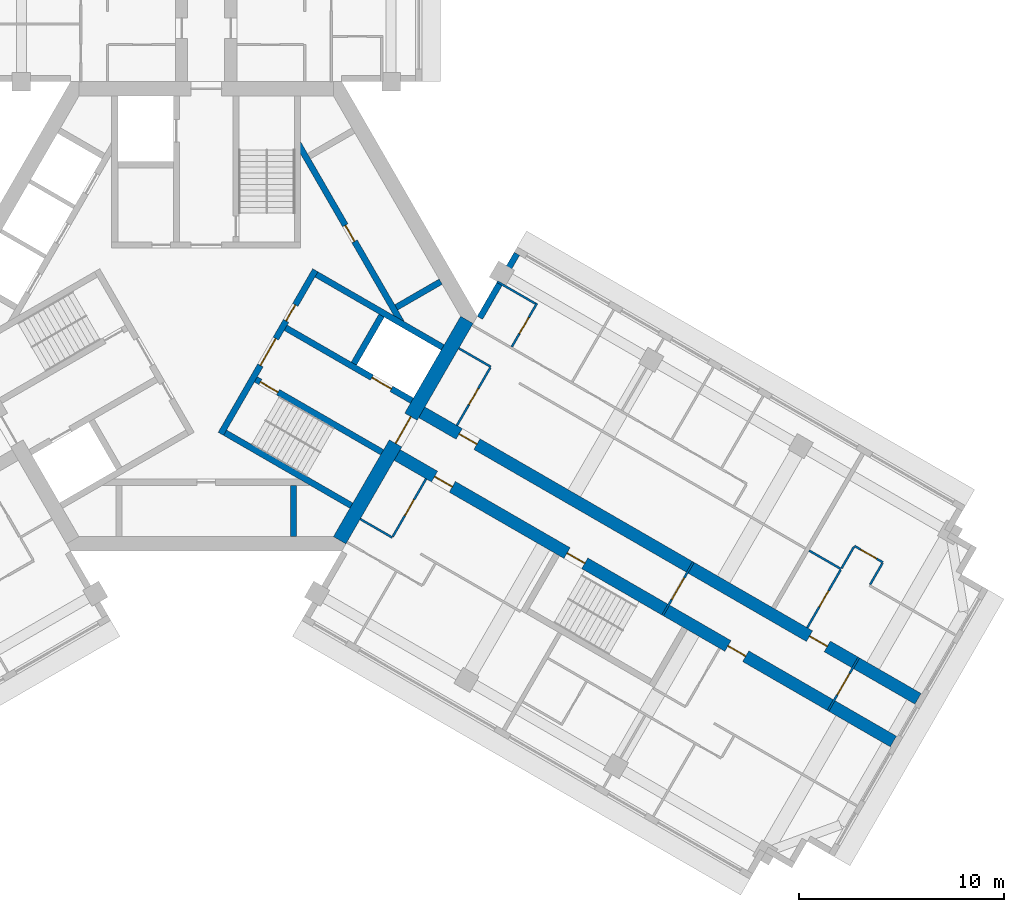
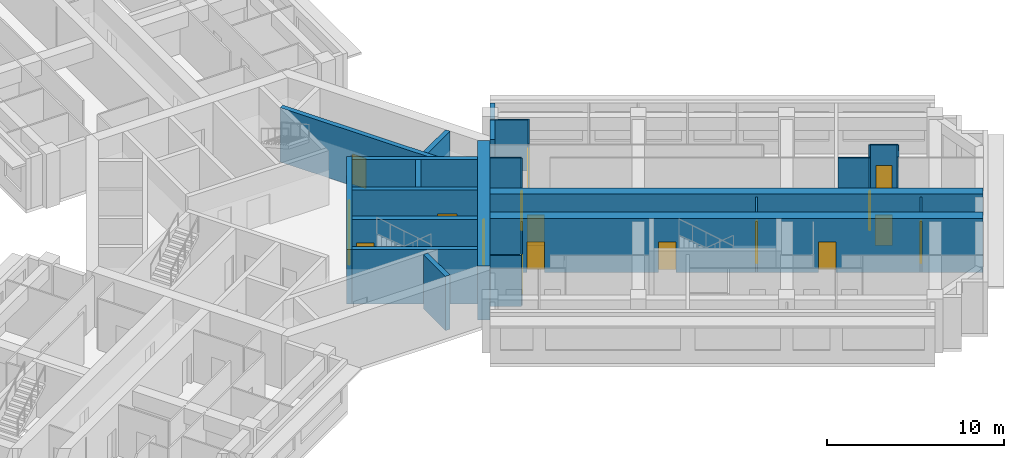
# One storey, part 5 of 10: 26 walls, 18 doors, 18 openings.
"""IFC4 building model written with IfcOpenShell, lengths in metres."""

from ifc_helpers import new_model, si_unit, direction, frame, frame_2d, origin, place, context, subcontext, project, spatial, rectangle, extrude, material, layer, layer_set, type_object, element, fill, save


model = new_model("IFC4")

# Units and contexts
model_context = context("Model", 3, precision=1e-05, world=origin(), true_north=direction((0.0, 1.0)))
body_context = subcontext(model_context, "Body", "Model", "MODEL_VIEW")
ifc_project = project(units=[si_unit("LENGTHUNIT", "METRE"), si_unit("AREAUNIT", "SQUARE_METRE"), si_unit("VOLUMEUNIT", "CUBIC_METRE"), si_unit("PLANEANGLEUNIT", "RADIAN"), si_unit("MASSUNIT", "GRAM", prefix="KILO")], contexts=[model_context])

# Site, building, storey
site_placement = place(None, origin())
site = spatial("IfcSite", under=ifc_project, at=site_placement, CompositionType="ELEMENT")
building_placement = place(site_placement, origin())
building = spatial("IfcBuilding", under=site, at=building_placement, Name="Impinga Residences", CompositionType="ELEMENT")
storey_placement = place(building_placement, frame((0.0, 0.0, 229.75)))
storey = spatial("IfcBuildingStorey", under=building, at=storey_placement, Name="L57", CompositionType="ELEMENT", Elevation=229.75)

# Wall, openings, doors
ifc_material_1 = material(Name="Concrete C60/75", Category="concrete")
ifc_layer_1 = layer(ifc_material_1, 0.60009765625)
ifc_layer_set_1 = layer_set([ifc_layer_1], Name="Concrete C60/75")
wall_type_1 = type_object("IfcWallType", Name="BW3 corridor buttress wall, L46 to L73 600", PredefinedType="SHEAR", material=ifc_layer_set_1)
wall_1_placement = place(storey_placement, frame((10.19677734375, -4.50146484375, 0.0), z_axis=(0.0, 0.0, 1.0), x_axis=(0.866026415941, -0.499998246889, 0.0)))
wall_1 = element("IfcWall", 1, at=wall_1_placement, inside=storey, type_object=wall_type_1, Name="Corridor wall BW3 EC L57", PredefinedType="SHEAR", context=body_context, shape_type="SweptSolid", body=[
    extrude(rectangle(XDim=28.25, YDim=0.60009765625, at=frame_2d((14.125, 0.0))), origin(), (0.0, 0.0, 1.0), 3.75),
])
opening_1_placement = place(wall_1_placement, frame((2.449951171875, 0.0, 0.0)))
opening_1 = element("IfcOpeningElement", 2, at=opening_1_placement, cuts=wall_1, Name="Opening D1", PredefinedType="OPENING", context=body_context, shape_type="SweptSolid", body=[
    extrude(rectangle(XDim=1.0, YDim=2.10009765625, at=frame_2d((0.5, 1.050048828125))), frame((0.0, 0.31005859375, 0.0), z_axis=(0.0, -1.0, 0.0), x_axis=(1.0, 0.0, 0.0)), (0.0, 0.0, 1.0), 0.6201171875),
])
opening_2_placement = place(wall_1_placement, frame((22.14990234375, 0.0, 0.0)))
opening_2 = element("IfcOpeningElement", 3, at=opening_2_placement, cuts=wall_1, Name="Opening D1", PredefinedType="OPENING", context=body_context, shape_type="SweptSolid", body=[
    extrude(rectangle(XDim=1.0, YDim=2.10009765625, at=frame_2d((0.5, 1.050048828125))), frame((0.0, 0.31005859375, 0.0), z_axis=(0.0, -1.0, 0.0), x_axis=(1.0, 0.0, 0.0)), (0.0, 0.0, 1.0), 0.6201171875),
])
ifc_material_2 = material(Name="Timber door set", Category="wood")
door_type_1 = type_object("IfcDoorType", Name="D1 apartment entrance door 1000x2100", OperationType="SINGLE_SWING_LEFT", PredefinedType="DOOR", material=ifc_material_2)
door_1_placement = place(opening_1_placement, origin())
door_1 = element("IfcDoor", 4, at=door_1_placement, inside=storey, type_object=door_type_1, Name="Apartment L57-EA1 entrance", OperationType="SINGLE_SWING_LEFT", OverallHeight=2.10009765625, OverallWidth=1.0, PredefinedType="DOOR", context=body_context, shape_type="SweptSolid", body=[
    extrude(rectangle(XDim=1.0, YDim=2.10009765625, at=frame_2d((0.5, 1.050048828125))), frame((0.0, 0.02490234375, 0.0), z_axis=(0.0, -1.0, 0.0), x_axis=(1.0, 0.0, 0.0)), (0.0, 0.0, 1.0), 0.050048828125),
])
fill(opening_1, door_1)
door_2_placement = place(opening_2_placement, origin())
door_2 = element("IfcDoor", 5, at=door_2_placement, inside=storey, type_object=door_type_1, Name="Apartment L57-EA2 entrance", OperationType="SINGLE_SWING_RIGHT", OverallHeight=2.10009765625, OverallWidth=1.0, PredefinedType="DOOR", context=body_context, shape_type="SweptSolid", body=[
    extrude(rectangle(XDim=1.0, YDim=2.10009765625, at=frame_2d((0.5, 1.050048828125))), frame((0.0, 0.02490234375, 0.0), z_axis=(0.0, -1.0, 0.0), x_axis=(1.0, 0.0, 0.0)), (0.0, 0.0, 1.0), 0.050048828125),
])
fill(opening_2, door_2)

wall_2_placement = place(storey_placement, frame((8.996826171875, -6.580078125, 0.0), z_axis=(0.0, 0.0, 1.0), x_axis=(0.866026415941, -0.499998246889, 0.0)))
wall_2 = element("IfcWall", 6, at=wall_2_placement, inside=storey, type_object=wall_type_1, Name="Corridor wall BW3 ED L57", PredefinedType="SHEAR", context=body_context, shape_type="SweptSolid", body=[
    extrude(rectangle(XDim=28.25, YDim=0.60009765625, at=frame_2d((14.125, 0.0))), origin(), (0.0, 0.0, 1.0), 3.75),
])
opening_3_placement = place(wall_2_placement, frame((9.89990234375, 0.0, 0.0)))
opening_3 = element("IfcOpeningElement", 7, at=opening_3_placement, cuts=wall_2, Name="Opening D5", PredefinedType="OPENING", context=body_context, shape_type="SweptSolid", body=[
    extrude(rectangle(XDim=1.0, YDim=2.10009765625, at=frame_2d((0.5, 1.050048828125))), frame((0.0, 0.31005859375, 0.0), z_axis=(0.0, -1.0, 0.0), x_axis=(1.0, 0.0, 0.0)), (0.0, 0.0, 1.0), 0.6201171875),
])
opening_4_placement = place(wall_2_placement, frame((2.449951171875, 0.0, 0.0)))
opening_4 = element("IfcOpeningElement", 8, at=opening_4_placement, cuts=wall_2, Name="Opening D1", PredefinedType="OPENING", context=body_context, shape_type="SweptSolid", body=[
    extrude(rectangle(XDim=1.0, YDim=2.10009765625, at=frame_2d((0.5, 1.050048828125))), frame((0.0, 0.31005859375, 0.0), z_axis=(0.0, -1.0, 0.0), x_axis=(1.0, 0.0, 0.0)), (0.0, 0.0, 1.0), 0.6201171875),
])
opening_5_placement = place(wall_2_placement, frame((18.949951171875, 0.0, 0.0)))
opening_5 = element("IfcOpeningElement", 9, at=opening_5_placement, cuts=wall_2, Name="Opening D1", PredefinedType="OPENING", context=body_context, shape_type="SweptSolid", body=[
    extrude(rectangle(XDim=1.0, YDim=2.10009765625, at=frame_2d((0.5, 1.050048828125))), frame((0.0, 0.31005859375, 0.0), z_axis=(0.0, -1.0, 0.0), x_axis=(1.0, 0.0, 0.0)), (0.0, 0.0, 1.0), 0.6201171875),
])
door_3_placement = place(opening_4_placement, origin())
door_3 = element("IfcDoor", 10, at=door_3_placement, inside=storey, type_object=door_type_1, Name="Apartment L57-EF1 entrance", OperationType="SINGLE_SWING_LEFT", OverallHeight=2.10009765625, OverallWidth=1.0, PredefinedType="DOOR", context=body_context, shape_type="SweptSolid", body=[
    extrude(rectangle(XDim=1.0, YDim=2.10009765625, at=frame_2d((0.5, 1.050048828125))), frame((0.0, 0.02490234375, 0.0), z_axis=(0.0, -1.0, 0.0), x_axis=(1.0, 0.0, 0.0)), (0.0, 0.0, 1.0), 0.050048828125),
])
fill(opening_4, door_3)
door_4_placement = place(opening_5_placement, origin())
door_4 = element("IfcDoor", 11, at=door_4_placement, inside=storey, type_object=door_type_1, Name="Apartment L57-EF2 entrance", OperationType="SINGLE_SWING_RIGHT", OverallHeight=2.10009765625, OverallWidth=1.0, PredefinedType="DOOR", context=body_context, shape_type="SweptSolid", body=[
    extrude(rectangle(XDim=1.0, YDim=2.10009765625, at=frame_2d((0.5, 1.050048828125))), frame((0.0, 0.02490234375, 0.0), z_axis=(0.0, -1.0, 0.0), x_axis=(1.0, 0.0, 0.0)), (0.0, 0.0, 1.0), 0.050048828125),
])
fill(opening_5, door_4)
door_type_2 = type_object("IfcDoorType", Name="D5 stair door 1000x2100", OperationType="SINGLE_SWING_LEFT", PredefinedType="DOOR", material=ifc_material_2)
door_5_placement = place(opening_3_placement, origin())
door_5 = element("IfcDoor", 12, at=door_5_placement, inside=storey, type_object=door_type_2, Name="Wing stair door E", OperationType="SINGLE_SWING_LEFT", OverallHeight=2.10009765625, OverallWidth=1.0, PredefinedType="DOOR", context=body_context, shape_type="SweptSolid", body=[
    extrude(rectangle(XDim=1.0, YDim=2.10009765625, at=frame_2d((0.5, 1.050048828125))), frame((0.0, 0.02490234375, 0.0), z_axis=(0.0, -1.0, 0.0), x_axis=(1.0, 0.0, 0.0)), (0.0, 0.0, 1.0), 0.050048828125),
])
fill(opening_3, door_5)

# Wall, opening, door
ifc_material_3 = material(Name="Concrete blockwork", Category="masonry")
ifc_layer_2 = layer(ifc_material_3, 0.10009765625)
ifc_layer_set_2 = layer_set([ifc_layer_2], Name="CP1 core room partition, blockwork 100")
wall_type_2 = type_object("IfcWallType", Name="CP1 core room partition, blockwork 100", PredefinedType="PARTITIONING", material=ifc_layer_set_2)
wall_3_placement = place(storey_placement, frame((31.781005859375, -16.61669921875, 0.0), z_axis=(0.0, 0.0, 1.0), x_axis=(-0.499990139034, -0.866031096941, 0.0)))
wall_3 = element("IfcWall", 13, at=wall_3_placement, inside=storey, type_object=wall_type_2, Name="Core room partition, blockwork L57:E:LNG", PredefinedType="PARTITIONING", context=body_context, shape_type="SweptSolid", body=[
    extrude(rectangle(XDim=3.0, YDim=0.10009765625, at=frame_2d((1.5, 0.0))), origin(), (0.0, 0.0, 1.0), 3.530029296875),
])
opening_6_placement = place(wall_3_placement, frame((0.89990234375, 0.0, 0.0)))
opening_6 = element("IfcOpeningElement", 14, at=opening_6_placement, cuts=wall_3, Name="Opening D3", PredefinedType="OPENING", context=body_context, shape_type="SweptSolid", body=[
    extrude(rectangle(XDim=1.199951171875, YDim=2.10009765625, at=frame_2d((0.60009765625, 1.050048828125))), frame((0.0, 0.06005859375, 0.0), z_axis=(0.0, -1.0, 0.0), x_axis=(1.0, 0.0, 0.0)), (0.0, 0.0, 1.0), 0.1201171875),
])
door_type_3 = type_object("IfcDoorType", Name="D3 room door, leaf and a half 1200x2100", OperationType="DOUBLE_SWING_LEFT", PredefinedType="DOOR", material=ifc_material_2)
door_6_placement = place(opening_6_placement, origin())
door_6 = element("IfcDoor", 15, at=door_6_placement, inside=storey, type_object=door_type_3, Name="Residents' lounge door E", OperationType="DOUBLE_SWING_LEFT", OverallHeight=2.10009765625, OverallWidth=1.199951171875, PredefinedType="DOOR", context=body_context, shape_type="SweptSolid", body=[
    extrude(rectangle(XDim=1.199951171875, YDim=2.10009765625, at=frame_2d((0.60009765625, 1.050048828125))), frame((0.0, 0.02490234375, 0.0), z_axis=(0.0, -1.0, 0.0), x_axis=(1.0, 0.0, 0.0)), (0.0, 0.0, 1.0), 0.050048828125),
])
fill(opening_6, door_6)

wall_4_placement = place(storey_placement, frame((23.724853515625, -11.965576171875, 0.0), z_axis=(0.0, 0.0, 1.0), x_axis=(-0.50002537861, -0.866010750942, 0.0)))
wall_4 = element("IfcWall", 16, at=wall_4_placement, inside=storey, type_object=wall_type_2, Name="Core room partition, blockwork L57:E:SCR", PredefinedType="PARTITIONING", context=body_context, shape_type="SweptSolid", body=[
    extrude(rectangle(XDim=2.999755859375, YDim=0.10009765625, at=frame_2d((1.5, 0.0))), origin(), (0.0, 0.0, 1.0), 3.530029296875),
])
opening_7_placement = place(wall_4_placement, frame((0.89990234375, 0.0, 0.0)))
opening_7 = element("IfcOpeningElement", 17, at=opening_7_placement, cuts=wall_4, Name="Opening D3", PredefinedType="OPENING", context=body_context, shape_type="SweptSolid", body=[
    extrude(rectangle(XDim=1.199951171875, YDim=2.10009765625, at=frame_2d((0.60009765625, 1.050048828125))), frame((0.0, 0.06005859375, 0.0), z_axis=(0.0, -1.0, 0.0), x_axis=(1.0, 0.0, 0.0)), (0.0, 0.0, 1.0), 0.1201171875),
])
door_7_placement = place(opening_7_placement, origin())
door_7 = element("IfcDoor", 18, at=door_7_placement, inside=storey, type_object=door_type_3, Name="Corridor smoke door E", OperationType="DOUBLE_SWING_LEFT", OverallHeight=2.10009765625, OverallWidth=1.199951171875, PredefinedType="DOOR", context=body_context, shape_type="SweptSolid", body=[
    extrude(rectangle(XDim=1.199951171875, YDim=2.10009765625, at=frame_2d((0.60009765625, 1.050048828125))), frame((0.0, 0.02490234375, 0.0), z_axis=(0.0, -1.0, 0.0), x_axis=(1.0, 0.0, 0.0)), (0.0, 0.0, 1.0), 0.050048828125),
])
fill(opening_7, door_7)

# Walls
ifc_material_4 = material(Name="Terracotta rainscreen on blockwork", Category="masonry")
ifc_layer_3 = layer(ifc_material_4, 0.300048828125)
ifc_layer_set_3 = layer_set([ifc_layer_3], Name="EW1 external wall, terracotta rainscreen on blockwork 300")
wall_type_3 = type_object("IfcWallType", Name="EW1 external wall, terracotta rainscreen on blockwork 300", PredefinedType="SOLIDWALL", material=ifc_layer_set_3)
wall_5_placement = place(storey_placement, frame((13.329833984375, -0.074951171875, 0.0), z_axis=(0.0, 0.0, 1.0), x_axis=(0.500012057535, 0.866018442252, 0.0)))
element("IfcWall", 19, at=wall_5_placement, inside=storey, type_object=wall_type_3, Name="External wall EW1 L57", PredefinedType="SOLIDWALL", context=body_context, shape_type="SweptSolid", body=[
    extrude(rectangle(XDim=3.60009765625, YDim=0.300048828125, at=frame_2d((1.800048828125, 0.0))), origin(), (0.0, 0.0, 1.0), 3.530029296875),
])
ifc_material_5 = material(Name="Gypsum board on steel studs", Category="steel")
ifc_layer_4 = layer(ifc_material_5, 0.10009765625)
ifc_layer_set_4 = layer_set([ifc_layer_4], Name="Gypsum board on steel studs")
wall_type_4 = type_object("IfcWallType", Name="IP1 partition 100", PredefinedType="PARTITIONING", material=ifc_layer_set_4)
wall_6_placement = place(storey_placement, frame((12.300048828125, -1.558837890625, 0.0), z_axis=(0.0, 0.0, 1.0), x_axis=(0.866047807691, -0.499961193289, 0.0)))
element("IfcWall", 20, at=wall_6_placement, inside=storey, type_object=wall_type_4, Name="Partition L57-EA1:DIV0", PredefinedType="PARTITIONING", context=body_context, shape_type="SweptSolid", body=[
    extrude(rectangle(XDim=1.800048828125, YDim=0.10009765625, at=frame_2d((0.89990234375, 0.0))), origin(), (0.0, 0.0, 1.0), 3.530029296875),
])

# Wall, opening, door
wall_7_placement = place(storey_placement, frame((12.208740234375, -5.316650390625, 0.0), z_axis=(0.0, 0.0, 1.0), x_axis=(0.500017246033, 0.866015446554, 0.0)))
wall_7 = element("IfcWall", 21, at=wall_7_placement, inside=storey, type_object=wall_type_4, Name="Partition L57-EA1:IB1", PredefinedType="PARTITIONING", context=body_context, shape_type="SweptSolid", body=[
    extrude(rectangle(XDim=3.25, YDim=0.10009765625, at=frame_2d((1.625, 0.0))), origin(), (0.0, 0.0, 1.0), 3.530029296875),
])
opening_8_placement = place(wall_7_placement, frame((1.175048828125, 0.0, 0.0)))
opening_8 = element("IfcOpeningElement", 22, at=opening_8_placement, cuts=wall_7, Name="Opening D2", PredefinedType="OPENING", context=body_context, shape_type="SweptSolid", body=[
    extrude(rectangle(XDim=0.89990234375, YDim=2.10009765625, at=frame_2d((0.449951171875, 1.050048828125))), frame((0.0, 0.06005859375, 0.0), z_axis=(0.0, -1.0, 0.0), x_axis=(1.0, 0.0, 0.0)), (0.0, 0.0, 1.0), 0.1201171875),
])
door_type_4 = type_object("IfcDoorType", Name="D2 internal door 900x2100", OperationType="SINGLE_SWING_LEFT", PredefinedType="DOOR", material=ifc_material_2)
door_8_placement = place(opening_8_placement, origin())
door_8 = element("IfcDoor", 23, at=door_8_placement, inside=storey, type_object=door_type_4, Name="Apartment L57-EA1 bathroom door", OperationType="SINGLE_SWING_LEFT", OverallHeight=2.10009765625, OverallWidth=0.89990234375, PredefinedType="DOOR", context=body_context, shape_type="SweptSolid", body=[
    extrude(rectangle(XDim=0.89990234375, YDim=2.10009765625, at=frame_2d((0.449951171875, 1.050048828125))), frame((0.0, 0.02490234375, 0.0), z_axis=(0.0, -1.0, 0.0), x_axis=(1.0, 0.0, 0.0)), (0.0, 0.0, 1.0), 0.050048828125),
])
fill(opening_8, door_8)

wall_8_placement = place(storey_placement, frame((14.88037109375, -1.48974609375, 0.0), z_axis=(0.0, 0.0, 1.0), x_axis=(0.499943856944, 0.866057815567, 0.0)))
wall_8 = element("IfcWall", 24, at=wall_8_placement, inside=storey, type_object=wall_type_4, Name="Partition L57-EA1:EN1", PredefinedType="PARTITIONING", context=body_context, shape_type="SweptSolid", body=[
    extrude(rectangle(XDim=2.449951171875, YDim=0.10009765625, at=frame_2d((1.22509765625, 0.0))), origin(), (0.0, 0.0, 1.0), 3.530029296875),
])
opening_9_placement = place(wall_8_placement, frame((0.75, 0.0, 0.0)))
opening_9 = element("IfcOpeningElement", 25, at=opening_9_placement, cuts=wall_8, Name="Opening D2", PredefinedType="OPENING", context=body_context, shape_type="SweptSolid", body=[
    extrude(rectangle(XDim=0.89990234375, YDim=2.10009765625, at=frame_2d((0.449951171875, 1.050048828125))), frame((0.0, 0.06005859375, 0.0), z_axis=(0.0, -1.0, 0.0), x_axis=(1.0, 0.0, 0.0)), (0.0, 0.0, 1.0), 0.1201171875),
])
door_9_placement = place(opening_9_placement, origin())
door_9 = element("IfcDoor", 26, at=door_9_placement, inside=storey, type_object=door_type_4, Name="Apartment L57-EA1 en-suite door", OperationType="SINGLE_SWING_LEFT", OverallHeight=2.10009765625, OverallWidth=0.89990234375, PredefinedType="DOOR", context=body_context, shape_type="SweptSolid", body=[
    extrude(rectangle(XDim=0.89990234375, YDim=2.10009765625, at=frame_2d((0.449951171875, 1.050048828125))), frame((0.0, 0.02490234375, 0.0), z_axis=(0.0, -1.0, 0.0), x_axis=(1.0, 0.0, 0.0)), (0.0, 0.0, 1.0), 0.050048828125),
])
fill(opening_9, door_9)

# Walls
wall_9_placement = place(storey_placement, frame((14.175048828125, 1.688720703125, 0.0), z_axis=(0.0, 0.0, 1.0), x_axis=(0.866019166195, -0.500010803666, 0.0)))
element("IfcWall", 27, at=wall_9_placement, inside=storey, type_object=wall_type_4, Name="Partition L57-EA1:EN2", PredefinedType="PARTITIONING", context=body_context, shape_type="SweptSolid", body=[
    extrude(rectangle(XDim=2.14990234375, YDim=0.10009765625, at=frame_2d((1.074951171875, 0.0))), origin(), (0.0, 0.0, 1.0), 3.530029296875),
])
wall_10_placement = place(storey_placement, frame((29.360595703125, -11.408935546875, 0.0), z_axis=(0.0, 0.0, 1.0), x_axis=(0.866047807691, -0.499961193289, 0.0)))
element("IfcWall", 28, at=wall_10_placement, inside=storey, type_object=wall_type_4, Name="Partition L57-EA2:DIV0", PredefinedType="PARTITIONING", context=body_context, shape_type="SweptSolid", body=[
    extrude(rectangle(XDim=1.800048828125, YDim=0.10009765625, at=frame_2d((0.89990234375, 0.0))), origin(), (0.0, 0.0, 1.0), 3.530029296875),
])

# Wall, opening, door
wall_11_placement = place(storey_placement, frame((31.569580078125, -11.18310546875, 0.0), z_axis=(0.0, 0.0, 1.0), x_axis=(0.866055983265, -0.499947031044, 0.0)))
wall_11 = element("IfcWall", 29, at=wall_11_placement, inside=storey, type_object=wall_type_4, Name="Partition L57-EA2:STRIP", PredefinedType="PARTITIONING", context=body_context, shape_type="SweptSolid", body=[
    extrude(rectangle(XDim=1.599853515625, YDim=0.10009765625, at=frame_2d((0.7998046875, 0.0))), origin(), (0.0, 0.0, 1.0), 3.530029296875),
])
opening_10_placement = place(wall_11_placement, frame((0.35009765625, 0.0, 0.0)))
opening_10 = element("IfcOpeningElement", 30, at=opening_10_placement, cuts=wall_11, Name="Opening D2", PredefinedType="OPENING", context=body_context, shape_type="SweptSolid", body=[
    extrude(rectangle(XDim=0.89990234375, YDim=2.10009765625, at=frame_2d((0.449951171875, 1.050048828125))), frame((0.0, 0.06005859375, 0.0), z_axis=(0.0, -1.0, 0.0), x_axis=(1.0, 0.0, 0.0)), (0.0, 0.0, 1.0), 0.1201171875),
])
door_10_placement = place(opening_10_placement, origin())
door_10 = element("IfcDoor", 31, at=door_10_placement, inside=storey, type_object=door_type_4, Name="Apartment L57-EA2 room door", OperationType="SINGLE_SWING_LEFT", OverallHeight=2.10009765625, OverallWidth=0.89990234375, PredefinedType="DOOR", context=body_context, shape_type="SweptSolid", body=[
    extrude(rectangle(XDim=0.89990234375, YDim=2.10009765625, at=frame_2d((0.449951171875, 1.050048828125))), frame((0.0, 0.02490234375, 0.0), z_axis=(0.0, -1.0, 0.0), x_axis=(1.0, 0.0, 0.0)), (0.0, 0.0, 1.0), 0.050048828125),
])
fill(opening_10, door_10)

# Walls
for number, where, z_axis, x_axis, name in (
    (32, (30.944580078125, -12.265625, 0.0), (0.0, 0.0, 1.0), (0.499880961361, 0.866094119867, 0.0), "Partition L57-EA2:SE0"),
    (33, (32.330078125, -13.0654296875, 0.0), (0.0, 0.0, 1.0), (0.50012165622, 0.865955154139, 0.0), "Partition L57-EA2:SE1"),
):
    element("IfcWall", number, at=place(storey_placement, frame(where, z_axis=z_axis, x_axis=x_axis)), inside=storey, type_object=wall_type_4, Name=name, PredefinedType="PARTITIONING", context=body_context, shape_type="SweptSolid", body=[
        extrude(rectangle(XDim=1.199951171875, YDim=0.10009765625, at=frame_2d((0.60009765625, 0.0))), origin(), (0.0, 0.0, 1.0), 3.530029296875),
    ])

# Wall, opening, door
wall_12_placement = place(storey_placement, frame((29.26953125, -15.166748046875, 0.0), z_axis=(0.0, 0.0, 1.0), x_axis=(0.499984717929, 0.866034226713, 0.0)))
wall_12 = element("IfcWall", 34, at=wall_12_placement, inside=storey, type_object=wall_type_4, Name="Partition L57-EA2:IB1", PredefinedType="PARTITIONING", context=body_context, shape_type="SweptSolid", body=[
    extrude(rectangle(XDim=3.25, YDim=0.10009765625, at=frame_2d((1.625, 0.0))), origin(), (0.0, 0.0, 1.0), 3.530029296875),
])
opening_11_placement = place(wall_12_placement, frame((1.175048828125, 0.0, 0.0)))
opening_11 = element("IfcOpeningElement", 35, at=opening_11_placement, cuts=wall_12, Name="Opening D2", PredefinedType="OPENING", context=body_context, shape_type="SweptSolid", body=[
    extrude(rectangle(XDim=0.89990234375, YDim=2.10009765625, at=frame_2d((0.449951171875, 1.050048828125))), frame((0.0, 0.06005859375, 0.0), z_axis=(0.0, -1.0, 0.0), x_axis=(1.0, 0.0, 0.0)), (0.0, 0.0, 1.0), 0.1201171875),
])
door_11_placement = place(opening_11_placement, origin())
door_11 = element("IfcDoor", 36, at=door_11_placement, inside=storey, type_object=door_type_4, Name="Apartment L57-EA2 bathroom door", OperationType="SINGLE_SWING_LEFT", OverallHeight=2.10009765625, OverallWidth=0.89990234375, PredefinedType="DOOR", context=body_context, shape_type="SweptSolid", body=[
    extrude(rectangle(XDim=0.89990234375, YDim=2.10009765625, at=frame_2d((0.449951171875, 1.050048828125))), frame((0.0, 0.02490234375, 0.0), z_axis=(0.0, -1.0, 0.0), x_axis=(1.0, 0.0, 0.0)), (0.0, 0.0, 1.0), 0.050048828125),
])
fill(opening_11, door_11)

# Wall
wall_13_placement = place(storey_placement, frame((7.5, -9.872802734375, 0.0), z_axis=(0.0, 0.0, 1.0), x_axis=(0.866047807691, -0.499961193289, 0.0)))
element("IfcWall", 37, at=wall_13_placement, inside=storey, type_object=wall_type_4, Name="Partition L57-EF1:DIV0", PredefinedType="PARTITIONING", context=body_context, shape_type="SweptSolid", body=[
    extrude(rectangle(XDim=1.800048828125, YDim=0.10009765625, at=frame_2d((0.89990234375, 0.0))), origin(), (0.0, 0.0, 1.0), 3.530029296875),
])

# Wall, opening, door
wall_14_placement = place(storey_placement, frame((10.708740234375, -7.914794921875, 0.0), z_axis=(0.0, 0.0, 1.0), x_axis=(-0.499984717929, -0.866034226713, 0.0)))
wall_14 = element("IfcWall", 38, at=wall_14_placement, inside=storey, type_object=wall_type_4, Name="Partition L57-EF1:IB1", PredefinedType="PARTITIONING", context=body_context, shape_type="SweptSolid", body=[
    extrude(rectangle(XDim=3.25, YDim=0.10009765625, at=frame_2d((1.625, 0.0))), origin(), (0.0, 0.0, 1.0), 3.530029296875),
])
opening_12_placement = place(wall_14_placement, frame((1.175048828125, 0.0, 0.0)))
opening_12 = element("IfcOpeningElement", 39, at=opening_12_placement, cuts=wall_14, Name="Opening D2", PredefinedType="OPENING", context=body_context, shape_type="SweptSolid", body=[
    extrude(rectangle(XDim=0.89990234375, YDim=2.10009765625, at=frame_2d((0.449951171875, 1.050048828125))), frame((0.0, 0.06005859375, 0.0), z_axis=(0.0, -1.0, 0.0), x_axis=(1.0, 0.0, 0.0)), (0.0, 0.0, 1.0), 0.1201171875),
])
door_12_placement = place(opening_12_placement, origin())
door_12 = element("IfcDoor", 40, at=door_12_placement, inside=storey, type_object=door_type_4, Name="Apartment L57-EF1 bathroom door", OperationType="SINGLE_SWING_LEFT", OverallHeight=2.10009765625, OverallWidth=0.89990234375, PredefinedType="DOOR", context=body_context, shape_type="SweptSolid", body=[
    extrude(rectangle(XDim=0.89990234375, YDim=2.10009765625, at=frame_2d((0.449951171875, 1.050048828125))), frame((0.0, 0.02490234375, 0.0), z_axis=(0.0, -1.0, 0.0), x_axis=(1.0, 0.0, 0.0)), (0.0, 0.0, 1.0), 0.050048828125),
])
fill(opening_12, door_12)

ifc_layer_5 = layer(ifc_material_1, 0.699951171875)
ifc_layer_set_5 = layer_set([ifc_layer_5], Name="Concrete C60/75")
wall_type_5 = type_object("IfcWallType", Name="SW3 core wall 700", PredefinedType="SHEAR", material=ifc_layer_set_5)
wall_15_placement = place(storey_placement, frame((12.69482421875, -0.175048828125, 0.0), z_axis=(0.0, 0.0, 1.0), x_axis=(-0.499999875397, -0.866025475724, 0.0)))
wall_15 = element("IfcWall", 41, at=wall_15_placement, inside=storey, type_object=wall_type_5, Name="Core wall SW3 E:FACE L57", PredefinedType="SHEAR", context=body_context, shape_type="SweptSolid", body=[
    extrude(rectangle(XDim=12.3916015625, YDim=0.699951171875, at=frame_2d((6.19580078125, 0.0))), origin(), (0.0, 0.0, 1.0), 3.75),
])
opening_13_placement = place(wall_15_placement, frame((5.44580078125, 0.0, 0.0)))
opening_13 = element("IfcOpeningElement", 42, at=opening_13_placement, cuts=wall_15, Name="Opening D4", PredefinedType="OPENING", context=body_context, shape_type="SweptSolid", body=[
    extrude(rectangle(XDim=1.5, YDim=2.10009765625, at=frame_2d((0.75, 1.050048828125))), frame((0.0, 0.35986328125, 0.0), z_axis=(0.0, -1.0, 0.0), x_axis=(1.0, 0.0, 0.0)), (0.0, 0.0, 1.0), 0.719970703125),
])
door_type_5 = type_object("IfcDoorType", Name="D4 lobby door pair 1500x2100", OperationType="DOUBLE_DOOR_DOUBLE_SWING", PredefinedType="DOOR", material=ifc_material_2)
door_13_placement = place(opening_13_placement, origin())
door_13 = element("IfcDoor", 43, at=door_13_placement, inside=storey, type_object=door_type_5, Name="Lobby door E", OperationType="DOUBLE_DOOR_DOUBLE_SWING", OverallHeight=2.10009765625, OverallWidth=1.5, PredefinedType="DOOR", context=body_context, shape_type="SweptSolid", body=[
    extrude(rectangle(XDim=1.5, YDim=2.10009765625, at=frame_2d((0.75, 1.050048828125))), frame((0.0, 0.02490234375, 0.0), z_axis=(0.0, -1.0, 0.0), x_axis=(1.0, 0.0, 0.0)), (0.0, 0.0, 1.0), 0.050048828125),
])
fill(opening_13, door_13)

# Wall, openings, doors
ifc_material_6 = material(Name="Concrete C70/85", Category="concrete")
ifc_layer_6 = layer(ifc_material_6, 0.300048828125)
ifc_layer_set_6 = layer_set([ifc_layer_6], Name="Concrete C70/85")
wall_type_6 = type_object("IfcWallType", Name="SW5 core inner wall, stairs, shafts and lobbies 300", PredefinedType="SHEAR", material=ifc_layer_set_6)
wall_16_placement = place(storey_placement, frame((5.313720703125, 2.24365234375, 0.0), z_axis=(0.0, 0.0, 1.0), x_axis=(-0.499995050369, -0.866028261437, 0.0)))
wall_16 = element("IfcWall", 44, at=wall_16_placement, inside=storey, type_object=wall_type_6, Name="Core wall SW5 E:ZONE L57", PredefinedType="SHEAR", context=body_context, shape_type="SweptSolid", body=[
    extrude(rectangle(XDim=9.19970703125, YDim=0.300048828125, at=frame_2d((4.599853515625, 0.0))), origin(), (0.0, 0.0, 1.0), 3.75),
])
opening_14_placement = place(wall_16_placement, frame((3.85009765625, 0.0, 0.0)))
opening_14 = element("IfcOpeningElement", 45, at=opening_14_placement, cuts=wall_16, Name="Opening D4", PredefinedType="OPENING", context=body_context, shape_type="SweptSolid", body=[
    extrude(rectangle(XDim=1.5, YDim=2.10009765625, at=frame_2d((0.75, 1.050048828125))), frame((0.0, 0.159912109375, 0.0), z_axis=(0.0, -1.0, 0.0), x_axis=(1.0, 0.0, 0.0)), (0.0, 0.0, 1.0), 0.320068359375),
])
opening_15_placement = place(wall_16_placement, frame((1.949951171875, 0.0, 0.0)))
opening_15 = element("IfcOpeningElement", 46, at=opening_15_placement, cuts=wall_16, Name="Opening D6", PredefinedType="OPENING", context=body_context, shape_type="SweptSolid", body=[
    extrude(rectangle(XDim=0.89990234375, YDim=2.10009765625, at=frame_2d((0.449951171875, 1.050048828125))), frame((0.0, 0.159912109375, 0.0), z_axis=(0.0, -1.0, 0.0), x_axis=(1.0, 0.0, 0.0)), (0.0, 0.0, 1.0), 0.320068359375),
])
door_14_placement = place(opening_14_placement, origin())
door_14 = element("IfcDoor", 47, at=door_14_placement, inside=storey, type_object=door_type_5, Name="Firefighting lobby door E", OperationType="DOUBLE_DOOR_DOUBLE_SWING", OverallHeight=2.10009765625, OverallWidth=1.5, PredefinedType="DOOR", context=body_context, shape_type="SweptSolid", body=[
    extrude(rectangle(XDim=1.5, YDim=2.10009765625, at=frame_2d((0.75, 1.050048828125))), frame((0.0, 0.02490234375, 0.0), z_axis=(0.0, -1.0, 0.0), x_axis=(1.0, 0.0, 0.0)), (0.0, 0.0, 1.0), 0.050048828125),
])
fill(opening_14, door_14)
door_type_6 = type_object("IfcDoorType", Name="D6 riser and store door 900x2100", OperationType="SINGLE_SWING_LEFT", PredefinedType="DOOR", material=ifc_material_2)
door_15_placement = place(opening_15_placement, origin())
door_15 = element("IfcDoor", 48, at=door_15_placement, inside=storey, type_object=door_type_6, Name="Riser door E", OperationType="SINGLE_SWING_LEFT", OverallHeight=2.10009765625, OverallWidth=0.89990234375, PredefinedType="DOOR", context=body_context, shape_type="SweptSolid", body=[
    extrude(rectangle(XDim=0.89990234375, YDim=2.10009765625, at=frame_2d((0.449951171875, 1.050048828125))), frame((0.0, 0.02490234375, 0.0), z_axis=(0.0, -1.0, 0.0), x_axis=(1.0, 0.0, 0.0)), (0.0, 0.0, 1.0), 0.050048828125),
])
fill(opening_15, door_15)

# Wall, opening, door
wall_17_placement = place(storey_placement, frame((2.418701171875, -3.07080078125, 0.0), z_axis=(0.0, 0.0, 1.0), x_axis=(0.866025859768, -0.499999210213, 0.0)))
wall_17 = element("IfcWall", 49, at=wall_17_placement, inside=storey, type_object=wall_type_6, Name="Core wall SW5 E:ST-IN L57", PredefinedType="SHEAR", context=body_context, shape_type="SweptSolid", body=[
    extrude(rectangle(XDim=7.1015625, YDim=0.300048828125, at=frame_2d((3.55078125, 0.0))), origin(), (0.0, 0.0, 1.0), 3.75),
])
opening_16_placement = place(wall_17_placement, frame((0.25, 0.0, 0.0)))
opening_16 = element("IfcOpeningElement", 50, at=opening_16_placement, cuts=wall_17, Name="Opening D5", PredefinedType="OPENING", context=body_context, shape_type="SweptSolid", body=[
    extrude(rectangle(XDim=1.0, YDim=2.10009765625, at=frame_2d((0.5, 1.050048828125))), frame((0.0, 0.159912109375, 0.0), z_axis=(0.0, -1.0, 0.0), x_axis=(1.0, 0.0, 0.0)), (0.0, 0.0, 1.0), 0.320068359375),
])
door_16_placement = place(opening_16_placement, origin())
door_16 = element("IfcDoor", 51, at=door_16_placement, inside=storey, type_object=door_type_2, Name="Stair door E", OperationType="SINGLE_SWING_LEFT", OverallHeight=2.10009765625, OverallWidth=1.0, PredefinedType="DOOR", context=body_context, shape_type="SweptSolid", body=[
    extrude(rectangle(XDim=1.0, YDim=2.10009765625, at=frame_2d((0.5, 1.050048828125))), frame((0.0, 0.02490234375, 0.0), z_axis=(0.0, -1.0, 0.0), x_axis=(1.0, 0.0, 0.0)), (0.0, 0.0, 1.0), 0.050048828125),
])
fill(opening_16, door_16)

# Wall
wall_18_placement = place(storey_placement, frame((0.918701171875, -5.668701171875, 0.0), z_axis=(0.0, 0.0, 1.0), x_axis=(0.866025859768, -0.499999210213, 0.0)))
element("IfcWall", 52, at=wall_18_placement, inside=storey, type_object=wall_type_6, Name="Core wall SW5 E:ST-OUT L57", PredefinedType="SHEAR", context=body_context, shape_type="SweptSolid", body=[
    extrude(rectangle(XDim=7.1015625, YDim=0.300048828125, at=frame_2d((3.55078125, 0.0))), origin(), (0.0, 0.0, 1.0), 3.75),
])

# Wall, opening, door
wall_19_placement = place(storey_placement, frame((3.86865234375, -0.559326171875, 0.0), z_axis=(0.0, 0.0, 1.0), x_axis=(0.866025859768, -0.499999210213, 0.0)))
wall_19 = element("IfcWall", 53, at=wall_19_placement, inside=storey, type_object=wall_type_6, Name="Core wall SW5 E:FF-IN L57", PredefinedType="SHEAR", context=body_context, shape_type="SweptSolid", body=[
    extrude(rectangle(XDim=7.1015625, YDim=0.300048828125, at=frame_2d((3.55078125, 0.0))), origin(), (0.0, 0.0, 1.0), 3.75),
])
opening_17_placement = place(wall_19_placement, frame((4.85009765625, 0.0, 0.0)))
opening_17 = element("IfcOpeningElement", 54, at=opening_17_placement, cuts=wall_19, Name="Opening LD2", PredefinedType="OPENING", context=body_context, shape_type="SweptSolid", body=[
    extrude(rectangle(XDim=1.10009765625, YDim=2.10009765625, at=frame_2d((0.550048828125, 1.050048828125))), frame((0.0, 0.159912109375, 0.0), z_axis=(0.0, -1.0, 0.0), x_axis=(1.0, 0.0, 0.0)), (0.0, 0.0, 1.0), 0.320068359375),
])
ifc_material_7 = material(Name="Steel lift landing door", Category="steel")
door_type_7 = type_object("IfcDoorType", Name="LD2 firefighting lift landing door 1100x2100", OperationType="DOUBLE_DOOR_SLIDING", PredefinedType="DOOR", material=ifc_material_7)
door_17_placement = place(opening_17_placement, origin())
door_17 = element("IfcDoor", 55, at=door_17_placement, inside=storey, type_object=door_type_7, Name="Firefighting lift landing door F3", OperationType="DOUBLE_DOOR_SLIDING", OverallHeight=2.10009765625, OverallWidth=1.10009765625, PredefinedType="DOOR", context=body_context, shape_type="SweptSolid", body=[
    extrude(rectangle(XDim=1.10009765625, YDim=2.10009765625, at=frame_2d((0.550048828125, 1.050048828125))), frame((0.0, 0.02490234375, 0.0), z_axis=(0.0, -1.0, 0.0), x_axis=(1.0, 0.0, 0.0)), (0.0, 0.0, 1.0), 0.050048828125),
])
fill(opening_17, door_17)

# Walls
wall_20_placement = place(storey_placement, frame((5.36865234375, 2.038818359375, 0.0), z_axis=(0.0, 0.0, 1.0), x_axis=(0.866025859768, -0.499999210213, 0.0)))
element("IfcWall", 56, at=wall_20_placement, inside=storey, type_object=wall_type_6, Name="Core wall SW5 E:FF-OUT L57", PredefinedType="SHEAR", context=body_context, shape_type="SweptSolid", body=[
    extrude(rectangle(XDim=7.1015625, YDim=0.300048828125, at=frame_2d((3.55078125, 0.0))), origin(), (0.0, 0.0, 1.0), 3.75),
])
wall_21_placement = place(storey_placement, frame((8.541259765625, 0.033935546875, 0.0), z_axis=(0.0, 0.0, 1.0), x_axis=(-0.50000943426, -0.866019956843, 0.0)))
element("IfcWall", 57, at=wall_21_placement, inside=storey, type_object=wall_type_6, Name="Core wall SW5 E:FF-RS L57", PredefinedType="SHEAR", context=body_context, shape_type="SweptSolid", body=[
    extrude(rectangle(XDim=2.7001953125, YDim=0.300048828125, at=frame_2d((1.35009765625, 0.0))), origin(), (0.0, 0.0, 1.0), 3.75),
])
wall_22_placement = place(storey_placement, frame((4.25, -8.2314453125, 0.0), z_axis=(0.0, 0.0, 1.0), x_axis=(0.0, -1.0, 0.0)))
element("IfcWall", 58, at=wall_22_placement, inside=storey, type_object=wall_type_6, Name="Core wall SW5 N:BANK-L L57", PredefinedType="SHEAR", context=body_context, shape_type="SweptSolid", body=[
    extrude(rectangle(XDim=2.5, YDim=0.300048828125, at=frame_2d((1.25, 0.0))), origin(), (0.0, 0.0, 1.0), 3.75),
])

# Wall, opening, door
wall_23_placement = place(storey_placement, frame((4.449951171875, 8.455322265625, 0.0), z_axis=(0.0, 0.0, 1.0), x_axis=(0.500002290144, -0.866024081565, 0.0)))
wall_23 = element("IfcWall", 59, at=wall_23_placement, inside=storey, type_object=wall_type_6, Name="Core wall SW5 W:BANK-FRONT L57", PredefinedType="SHEAR", context=body_context, shape_type="SweptSolid", body=[
    extrude(rectangle(XDim=10.1953125, YDim=0.300048828125, at=frame_2d((5.09765625, 0.0))), origin(), (0.0, 0.0, 1.0), 3.75),
])
opening_18_placement = place(wall_23_placement, frame((4.647705078125, 0.0, 0.0)))
opening_18 = element("IfcOpeningElement", 60, at=opening_18_placement, cuts=wall_23, Name="Opening D6", PredefinedType="OPENING", context=body_context, shape_type="SweptSolid", body=[
    extrude(rectangle(XDim=0.89990234375, YDim=2.10009765625, at=frame_2d((0.449951171875, 1.050048828125))), frame((0.0, 0.159912109375, 0.0), z_axis=(0.0, -1.0, 0.0), x_axis=(1.0, 0.0, 0.0)), (0.0, 0.0, 1.0), 0.320068359375),
])
door_18_placement = place(opening_18_placement, origin())
door_18 = element("IfcDoor", 61, at=door_18_placement, inside=storey, type_object=door_type_6, Name="IT and communications room door", OperationType="SINGLE_SWING_RIGHT", OverallHeight=2.10009765625, OverallWidth=0.89990234375, PredefinedType="DOOR", context=body_context, shape_type="SweptSolid", body=[
    extrude(rectangle(XDim=0.89990234375, YDim=2.10009765625, at=frame_2d((0.449951171875, 1.050048828125))), frame((0.0, 0.02490234375, 0.0), z_axis=(0.0, -1.0, 0.0), x_axis=(1.0, 0.0, 0.0)), (0.0, 0.0, 1.0), 0.050048828125),
])
fill(opening_18, door_18)

# Wall
wall_24_placement = place(storey_placement, frame((9.253662109375, 0.43505859375, 0.0), z_axis=(0.0, 0.0, 1.0), x_axis=(0.866022959057, 0.500004234368, 0.0)))
element("IfcWall", 62, at=wall_24_placement, inside=storey, type_object=wall_type_6, Name="Core wall SW5 W:BANK-R L57", PredefinedType="SHEAR", context=body_context, shape_type="SweptSolid", body=[
    extrude(rectangle(XDim=2.5, YDim=0.300048828125, at=frame_2d((1.25, 0.0))), origin(), (0.0, 0.0, 1.0), 3.75),
])

save(model, "model.ifc")
